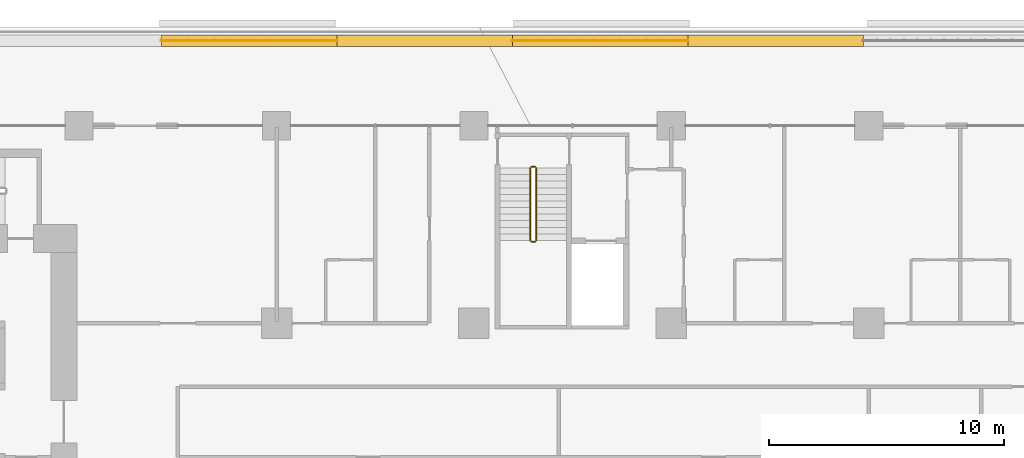
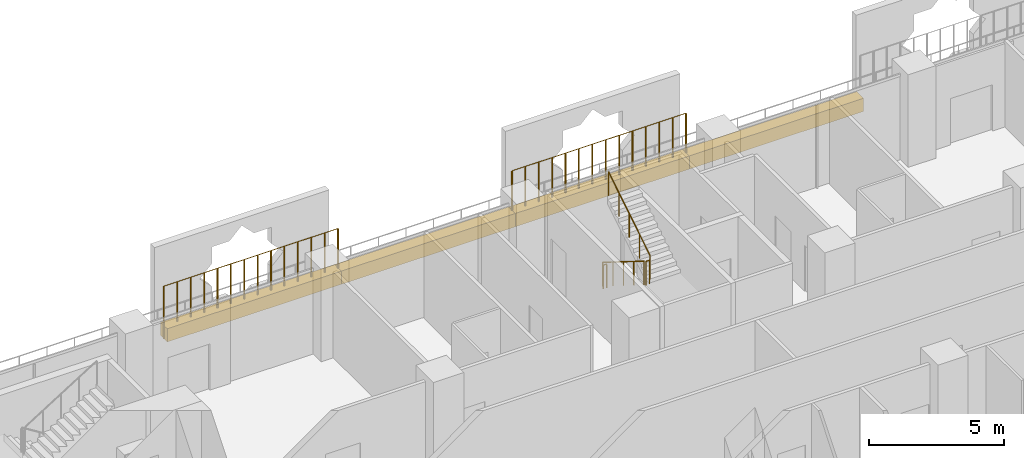
# One storey, part 27 of 28: 6 railings, 4 coverings.
"""IFC4 building model written with IfcOpenShell, lengths in metres."""

from ifc_helpers import new_model, si_unit, direction, frame, origin, origin_2d, place, context, subcontext, project, spatial, rectangle, circle, extrude, material, material_profile, profile_set, type_object, element, save


model = new_model("IFC4")

# Units and contexts
model_context = context("Model", 3, precision=1e-05, world=origin(), true_north=direction((0.0, 1.0)))
body_context = subcontext(model_context, "Body", "Model", "MODEL_VIEW")
ifc_project = project(units=[si_unit("LENGTHUNIT", "METRE"), si_unit("AREAUNIT", "SQUARE_METRE"), si_unit("VOLUMEUNIT", "CUBIC_METRE"), si_unit("PLANEANGLEUNIT", "RADIAN"), si_unit("MASSUNIT", "GRAM", prefix="KILO")], contexts=[model_context])

# Site, building, storey
site_placement = place(None, origin())
site = spatial("IfcSite", under=ifc_project, at=site_placement, CompositionType="ELEMENT")
building_placement = place(site_placement, origin())
building = spatial("IfcBuilding", under=site, at=building_placement, Name="Kawkab Arch Medical Tower", CompositionType="ELEMENT")
storey_placement = place(building_placement, frame((0.0, 0.0, 77.0)))
storey = spatial("IfcBuildingStorey", under=building, at=storey_placement, Name="L17", CompositionType="ELEMENT", Elevation=77.0)

# Coverings
ifc_material_1 = material(Name="Planting soil in a precast trough", Category="concrete")
ifc_material_profile = material_profile(ifc_material_1, rectangle(XDim=0.5, YDim=0.60009765625, at=origin_2d()), Name="Trough 500x600")
ifc_profile_set = profile_set([ifc_material_profile], Name="Planting soil in a precast trough")
covering_type = type_object("IfcCoveringType", Name="Planter trough 500 x 600", PredefinedType="USERDEFINED", material=ifc_profile_set)
for number, where, z_axis, x_axis, name in (
    (1, (28.695068359375, 3.6201171875, 0.300048828125), (1.0, 0.0, 0.0), (0.0, 1.0, 0.0), "Planter L17.LOG-01-01.23"),
    (2, (36.1650390625, 3.6201171875, 0.300048828125), (1.0, 0.0, 0.0), (0.0, 1.0, 0.0), "Planter L17.LOG-01-01.24"),
    (3, (43.635009765625, 3.6201171875, 0.300048828125), (1.0, 0.0, 0.0), (0.0, 1.0, 0.0), "Planter L17.LOG-01-01.25"),
):
    element("IfcCovering", number, at=place(storey_placement, frame(where, z_axis=z_axis, x_axis=x_axis)), inside=storey, type_object=covering_type, Name=name, ObjectType="PLANTER", PredefinedType="USERDEFINED", context=body_context, shape_type="SweptSolid", body=[
        extrude(rectangle(XDim=0.5, YDim=0.60009765625, at=origin_2d()), origin(), (0.0, 0.0, 1.0), 7.469970703125),
    ])
covering_placement = place(storey_placement, frame((51.10498046875, 3.6201171875, 0.300048828125), z_axis=(1.0, 0.0, 0.0), x_axis=(0.0, 1.0, 0.0)))
element("IfcCovering", 4, at=covering_placement, inside=storey, type_object=covering_type, Name="Planter L17.LOG-01-01.26", ObjectType="PLANTER", PredefinedType="USERDEFINED", context=body_context, shape_type="SweptSolid", body=[
    extrude(rectangle(XDim=0.5, YDim=0.60009765625, at=origin_2d()), origin(), (0.0, 0.0, 1.0), 7.470947265625),
])

# Railings
ifc_material_2 = material(Name="Bronze anodised aluminium trellis for climbing plants", Category="aluminium")
railing_type_1 = type_object("IfcRailingType", Name="Planting trellis 2400", PredefinedType="USERDEFINED", material=ifc_material_2)
railing_1_placement = place(storey_placement, frame((28.695068359375, 3.6201171875, 0.0)))
element("IfcRailing", 5, at=railing_1_placement, inside=storey, type_object=railing_type_1, Name="Planting trellis L17.LOG-01-01.23", ObjectType="TRELLIS", PredefinedType="USERDEFINED", context=body_context, shape_type="SweptSolid", body=[
    extrude(circle(Radius=0.01513671875, at=origin_2d()), frame((0.0, 0.0, 2.384765625), z_axis=(1.0, 0.0, 0.0), x_axis=(0.0, 1.0, 0.0)), (0.0, 0.0, 1.0), 7.469970703125),
    extrude(circle(Radius=0.030029296875, at=origin_2d()), origin(), (0.0, 0.0, 1.0), 2.369873046875),
    extrude(circle(Radius=0.030029296875, at=origin_2d()), frame((0.57470703125, 0.0, 0.0)), (0.0, 0.0, 1.0), 2.369873046875),
    extrude(circle(Radius=0.030029296875, at=origin_2d()), frame((1.149169921875, 0.0, 0.0)), (0.0, 0.0, 1.0), 2.369873046875),
    extrude(circle(Radius=0.030029296875, at=origin_2d()), frame((1.723876953125, 0.0, 0.0)), (0.0, 0.0, 1.0), 2.369873046875),
    extrude(circle(Radius=0.030029296875, at=origin_2d()), frame((2.29833984375, 0.0, 0.0)), (0.0, 0.0, 1.0), 2.369873046875),
    extrude(circle(Radius=0.030029296875, at=origin_2d()), frame((2.873046875, 0.0, 0.0)), (0.0, 0.0, 1.0), 2.369873046875),
    extrude(circle(Radius=0.030029296875, at=origin_2d()), frame((3.44775390625, 0.0, 0.0)), (0.0, 0.0, 1.0), 2.369873046875),
    extrude(circle(Radius=0.030029296875, at=origin_2d()), frame((4.022216796875, 0.0, 0.0)), (0.0, 0.0, 1.0), 2.369873046875),
    extrude(circle(Radius=0.030029296875, at=origin_2d()), frame((4.596923828125, 0.0, 0.0)), (0.0, 0.0, 1.0), 2.369873046875),
    extrude(circle(Radius=0.030029296875, at=origin_2d()), frame((5.171630859375, 0.0, 0.0)), (0.0, 0.0, 1.0), 2.369873046875),
    extrude(circle(Radius=0.030029296875, at=origin_2d()), frame((5.74609375, 0.0, 0.0)), (0.0, 0.0, 1.0), 2.369873046875),
    extrude(circle(Radius=0.030029296875, at=origin_2d()), frame((6.32080078125, 0.0, 0.0)), (0.0, 0.0, 1.0), 2.369873046875),
    extrude(circle(Radius=0.030029296875, at=origin_2d()), frame((6.895263671875, 0.0, 0.0)), (0.0, 0.0, 1.0), 2.369873046875),
    extrude(circle(Radius=0.030029296875, at=origin_2d()), frame((7.469970703125, 0.0, 0.0)), (0.0, 0.0, 1.0), 2.369873046875),
])
railing_2_placement = place(storey_placement, frame((43.635009765625, 3.6201171875, 0.0)))
element("IfcRailing", 6, at=railing_2_placement, inside=storey, type_object=railing_type_1, Name="Planting trellis L17.LOG-01-01.25", ObjectType="TRELLIS", PredefinedType="USERDEFINED", context=body_context, shape_type="SweptSolid", body=[
    extrude(circle(Radius=0.01513671875, at=origin_2d()), frame((0.0, 0.0, 2.384765625), z_axis=(1.0, 0.0, 0.0), x_axis=(0.0, 1.0, 0.0)), (0.0, 0.0, 1.0), 7.469970703125),
    extrude(circle(Radius=0.030029296875, at=origin_2d()), origin(), (0.0, 0.0, 1.0), 2.369873046875),
    extrude(circle(Radius=0.030029296875, at=origin_2d()), frame((0.57470703125, 0.0, 0.0)), (0.0, 0.0, 1.0), 2.369873046875),
    extrude(circle(Radius=0.030029296875, at=origin_2d()), frame((1.149169921875, 0.0, 0.0)), (0.0, 0.0, 1.0), 2.369873046875),
    extrude(circle(Radius=0.030029296875, at=origin_2d()), frame((1.723876953125, 0.0, 0.0)), (0.0, 0.0, 1.0), 2.369873046875),
    extrude(circle(Radius=0.030029296875, at=origin_2d()), frame((2.29833984375, 0.0, 0.0)), (0.0, 0.0, 1.0), 2.369873046875),
    extrude(circle(Radius=0.030029296875, at=origin_2d()), frame((2.873046875, 0.0, 0.0)), (0.0, 0.0, 1.0), 2.369873046875),
    extrude(circle(Radius=0.030029296875, at=origin_2d()), frame((3.44775390625, 0.0, 0.0)), (0.0, 0.0, 1.0), 2.369873046875),
    extrude(circle(Radius=0.030029296875, at=origin_2d()), frame((4.022216796875, 0.0, 0.0)), (0.0, 0.0, 1.0), 2.369873046875),
    extrude(circle(Radius=0.030029296875, at=origin_2d()), frame((4.596923828125, 0.0, 0.0)), (0.0, 0.0, 1.0), 2.369873046875),
    extrude(circle(Radius=0.030029296875, at=origin_2d()), frame((5.171630859375, 0.0, 0.0)), (0.0, 0.0, 1.0), 2.369873046875),
    extrude(circle(Radius=0.030029296875, at=origin_2d()), frame((5.74609375, 0.0, 0.0)), (0.0, 0.0, 1.0), 2.369873046875),
    extrude(circle(Radius=0.030029296875, at=origin_2d()), frame((6.32080078125, 0.0, 0.0)), (0.0, 0.0, 1.0), 2.369873046875),
    extrude(circle(Radius=0.030029296875, at=origin_2d()), frame((6.895263671875, 0.0, 0.0)), (0.0, 0.0, 1.0), 2.369873046875),
    extrude(circle(Radius=0.030029296875, at=origin_2d()), frame((7.469970703125, 0.0, 0.0)), (0.0, 0.0, 1.0), 2.369873046875),
])
ifc_material_3 = material(Name="Stainless steel", Category="steel")
railing_type_2 = type_object("IfcRailingType", Name="Stair guard 1100", PredefinedType="GUARDRAIL", material=ifc_material_3)
railing_3_placement = place(storey_placement, frame((44.39990234375, -1.800048828125, 0.175048828125)))
element("IfcRailing", 7, at=railing_3_placement, inside=storey, type_object=railing_type_2, Name="L17 ST5 stair guard 1", PredefinedType="GUARDRAIL", context=body_context, shape_type="SweptSolid", body=[
    extrude(circle(Radius=0.02392578125, at=origin_2d()), frame((0.0, 0.0, 1.076171875), z_axis=(0.0, -0.847979421464, 0.530029150871), x_axis=(1.0, 0.0, 0.0)), (0.0, 0.0, 1.0), 3.632080078125),
    extrude(circle(Radius=0.02099609375, at=origin_2d()), origin(), (0.0, 0.0, 1.0), 1.052001953125),
    extrude(circle(Radius=0.02099609375, at=origin_2d()), frame((0.0, -0.77001953125, 0.481201171875)), (0.0, 0.0, 1.0), 1.052001953125),
    extrude(circle(Radius=0.02099609375, at=origin_2d()), frame((0.0, -1.5400390625, 0.96240234375)), (0.0, 0.0, 1.0), 1.052001953125),
    extrude(circle(Radius=0.02099609375, at=origin_2d()), frame((0.0, -2.309814453125, 1.44384765625)), (0.0, 0.0, 1.0), 1.052001953125),
    extrude(circle(Radius=0.02099609375, at=origin_2d()), frame((0.0, -3.079833984375, 1.925048828125)), (0.0, 0.0, 1.0), 1.052001953125),
])
railing_4_placement = place(storey_placement, frame((44.449951171875, -4.929931640625, 2.10009765625)))
element("IfcRailing", 8, at=railing_4_placement, inside=storey, type_object=railing_type_2, Name="L17 ST5 stair guard 2", PredefinedType="GUARDRAIL", context=body_context, shape_type="SweptSolid", body=[
    extrude(circle(Radius=0.02392578125, at=origin_2d()), frame((0.0, 0.0, 1.076171875), z_axis=(1.0, 0.0, 0.0), x_axis=(0.0, 1.0, 0.0)), (0.0, 0.0, 1.0), 0.150146484375),
    extrude(circle(Radius=0.02099609375, at=origin_2d()), origin(), (0.0, 0.0, 1.0), 1.052001953125),
    extrude(circle(Radius=0.02099609375, at=origin_2d()), frame((0.150146484375, 0.0, 0.0)), (0.0, 0.0, 1.0), 1.052001953125),
])
railing_5_placement = place(storey_placement, frame((44.64990234375, -4.8798828125, 2.27490234375)))
element("IfcRailing", 9, at=railing_5_placement, inside=storey, type_object=railing_type_2, Name="L17 ST5 stair guard 3", PredefinedType="GUARDRAIL", context=body_context, shape_type="SweptSolid", body=[
    extrude(circle(Radius=0.02392578125, at=origin_2d()), frame((0.0, 0.0, 1.076171875), z_axis=(0.0, 0.847979421464, 0.530029150871), x_axis=(-1.0, 0.0, 0.0)), (0.0, 0.0, 1.0), 3.632080078125),
    extrude(circle(Radius=0.02099609375, at=origin_2d()), origin(), (0.0, 0.0, 1.0), 1.052001953125),
    extrude(circle(Radius=0.02099609375, at=origin_2d()), frame((0.0, 0.77001953125, 0.481201171875)), (0.0, 0.0, 1.0), 1.052001953125),
    extrude(circle(Radius=0.02099609375, at=origin_2d()), frame((0.0, 1.5400390625, 0.96240234375)), (0.0, 0.0, 1.0), 1.052001953125),
    extrude(circle(Radius=0.02099609375, at=origin_2d()), frame((0.0, 2.309814453125, 1.44384765625)), (0.0, 0.0, 1.0), 1.052001953125),
    extrude(circle(Radius=0.02099609375, at=origin_2d()), frame((0.0, 3.079833984375, 1.925048828125)), (0.0, 0.0, 1.0), 1.052001953125),
])
railing_6_placement = place(storey_placement, frame((44.449951171875, -1.75, 0.0)))
element("IfcRailing", 10, at=railing_6_placement, inside=storey, type_object=railing_type_2, Name="L17 ST5 stair guard 4", PredefinedType="GUARDRAIL", context=body_context, shape_type="SweptSolid", body=[
    extrude(circle(Radius=0.02392578125, at=origin_2d()), frame((0.0, 0.0, 1.076171875), z_axis=(1.0, 0.0, 0.0), x_axis=(0.0, 1.0, 0.0)), (0.0, 0.0, 1.0), 0.150146484375),
    extrude(circle(Radius=0.02099609375, at=origin_2d()), origin(), (0.0, 0.0, 1.0), 1.052001953125),
    extrude(circle(Radius=0.02099609375, at=origin_2d()), frame((0.150146484375, 0.0, 0.0)), (0.0, 0.0, 1.0), 1.052001953125),
])

save(model, "model.ifc")
